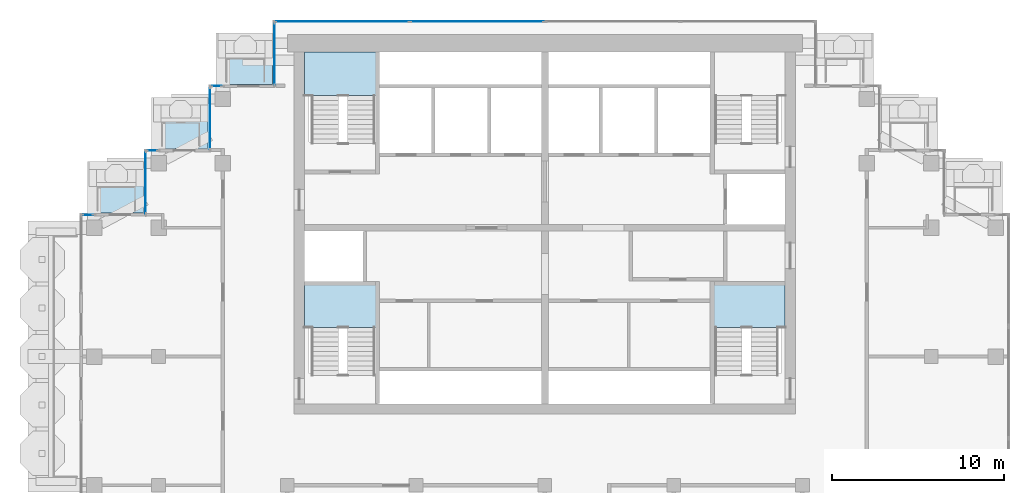
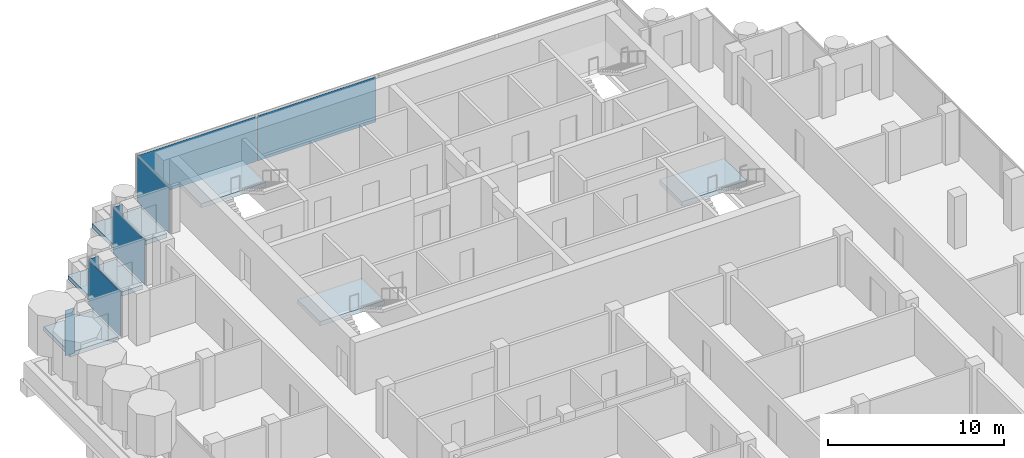
# One storey, part 9 of 18: 8 plates, 6 slabs, 10 elements without a shape of their own.
"""IFC4 building model written with IfcOpenShell, lengths in metres."""

from ifc_helpers import new_model, si_unit, direction, frame, origin, origin_2d, place, context, subcontext, project, spatial, polyline, rectangle, outline, extrude, material, layer, layer_set, type_object, element, aggregate, save


model = new_model("IFC4")

# Units and contexts
model_context = context("Model", 3, precision=1e-05, world=origin(), true_north=direction((0.0, 1.0)))
body_context = subcontext(model_context, "Body", "Model", "MODEL_VIEW")
ifc_project = project(units=[si_unit("LENGTHUNIT", "METRE"), si_unit("AREAUNIT", "SQUARE_METRE"), si_unit("VOLUMEUNIT", "CUBIC_METRE"), si_unit("PLANEANGLEUNIT", "RADIAN"), si_unit("MASSUNIT", "GRAM", prefix="KILO")], contexts=[model_context])

# Site, building, storey
site_placement = place(None, origin())
site = spatial("IfcSite", under=ifc_project, at=site_placement, CompositionType="ELEMENT")
building_placement = place(site_placement, origin())
building = spatial("IfcBuilding", under=site, at=building_placement, Name="Pilkhan Gate Tower", CompositionType="ELEMENT")
storey_placement = place(building_placement, frame((0.0, 0.0, 235.5)))
storey = spatial("IfcBuildingStorey", under=building, at=storey_placement, Name="L61", CompositionType="ELEMENT", Elevation=235.5)

# Slabs
ifc_material_1 = material(Name="Concrete C60/75", Category="concrete")
ifc_layer_1 = layer(ifc_material_1, 0.300048828125)
ifc_layer_set_1 = layer_set([ifc_layer_1], Name="Balcony tray slab TR300")
slab_type_1 = type_object("IfcSlabType", Name="Balcony tray slab TR300", PredefinedType="FLOOR", material=ifc_layer_set_1)
slab_1_placement = place(storey_placement, frame((0.0, 0.0, -0.300048828125)))
element("IfcSlab", 1, at=slab_1_placement, inside=storey, type_object=slab_type_1, Name="Balcony tray L61 N", PredefinedType="FLOOR", context=body_context, shape_type="SweptSolid", body=[
    extrude(outline(polyline([(59.14990234375, 90.85009765625), (59.14990234375, 93.85009765625), (55.949951171875, 93.85009765625), (55.949951171875, 90.85009765625), (59.14990234375, 90.85009765625)])), origin(), (0.0, 0.0, 1.0), 0.300048828125),
])
slab_2_placement = place(storey_placement, frame((0.0, 0.0, -0.300048828125)))
element("IfcSlab", 2, at=slab_2_placement, inside=storey, type_object=slab_type_1, Name="Balcony tray L61 N", PredefinedType="FLOOR", context=body_context, shape_type="SweptSolid", body=[
    extrude(outline(polyline([(55.3798828125, 87.1201171875), (55.3798828125, 90.10009765625), (52.199951171875, 90.10009765625), (52.199951171875, 87.1201171875), (55.3798828125, 87.1201171875)])), origin(), (0.0, 0.0, 1.0), 0.300048828125),
])
slab_3_placement = place(storey_placement, frame((0.0, 0.0, -0.300048828125)))
element("IfcSlab", 3, at=slab_3_placement, inside=storey, type_object=slab_type_1, Name="Balcony tray L61 N", PredefinedType="FLOOR", context=body_context, shape_type="SweptSolid", body=[
    extrude(outline(polyline([(51.6298828125, 83.3701171875), (51.6298828125, 86.35009765625), (48.449951171875, 86.35009765625), (48.449951171875, 83.3701171875), (51.6298828125, 83.3701171875)])), origin(), (0.0, 0.0, 1.0), 0.300048828125),
])

# Curtain wall, plates
ifc_material_2 = material(Name="Pale anodised aluminium, clear low-iron double glazing", Category="aluminium")
curtain_wall_type = type_object("IfcCurtainWallType", Name="Office unitised curtain wall CW-O2", PredefinedType="USERDEFINED", material=ifc_material_2)
curtain_wall_1_placement = place(storey_placement, origin())
curtain_wall_1 = element("IfcCurtainWall", 4, at=curtain_wall_1_placement, inside=storey, type_object=curtain_wall_type, Name="Office unitised curtain wall CW-O2 L61 N", ObjectType="UNITISED CURTAIN WALL", PredefinedType="USERDEFINED")
ifc_material_3 = material(Name="Clear low-iron double glazing", Category="glass")
ifc_layer_2 = layer(ifc_material_3, 0.031982421875)
ifc_layer_set_2 = layer_set([ifc_layer_2], Name="Glass panel CW-O2 32")
plate_type = type_object("IfcPlateType", Name="Glass panel CW-O2 32", PredefinedType="CURTAIN_PANEL", material=ifc_layer_set_2)
plate_1_placement = place(storey_placement, frame((63.203857421875, 94.5, 0.0), z_axis=(0.0, 0.0, 1.0), x_axis=(1.0, 0.0, 0.0)))
plate_1 = element("IfcPlate", 5, at=plate_1_placement, type_object=plate_type, Name="CW-O2 panel 1", PredefinedType="CURTAIN_PANEL", context=body_context, shape_type="SweptSolid", body=[
    extrude(rectangle(XDim=7.777587890625, YDim=0.031982421875, at=origin_2d()), origin(), (0.0, 0.0, 1.0), 3.135009765625),
])
plate_2_placement = place(storey_placement, frame((71.046142578125, 94.5, 0.0), z_axis=(0.0, 0.0, 1.0), x_axis=(1.0, 0.0, 0.0)))
plate_2 = element("IfcPlate", 6, at=plate_2_placement, type_object=plate_type, Name="CW-O2 panel 2", PredefinedType="CURTAIN_PANEL", context=body_context, shape_type="SweptSolid", body=[
    extrude(rectangle(XDim=7.777587890625, YDim=0.031982421875, at=origin_2d()), origin(), (0.0, 0.0, 1.0), 3.135009765625),
])
aggregate(curtain_wall_1, [plate_1, plate_2])

# Curtain wall, plate
curtain_wall_2_placement = place(storey_placement, origin())
curtain_wall_2 = element("IfcCurtainWall", 7, at=curtain_wall_2_placement, inside=storey, type_object=curtain_wall_type, Name="Office unitised curtain wall CW-O2 L61 W", ObjectType="UNITISED CURTAIN WALL", PredefinedType="USERDEFINED")
plate_3_placement = place(storey_placement, frame((59.25, 92.625, 0.0), z_axis=(0.0, 0.0, 1.0), x_axis=(0.0, 1.0, 0.0)))
plate_3 = element("IfcPlate", 8, at=plate_3_placement, type_object=plate_type, Name="CW-O2 panel 1", PredefinedType="CURTAIN_PANEL", context=body_context, shape_type="SweptSolid", body=[
    extrude(rectangle(XDim=3.6201171875, YDim=0.031982421875, at=origin_2d()), origin(), (0.0, 0.0, 1.0), 3.135009765625),
])
aggregate(curtain_wall_2, [plate_3])

curtain_wall_3_placement = place(storey_placement, origin())
curtain_wall_3 = element("IfcCurtainWall", 9, at=curtain_wall_3_placement, inside=storey, type_object=curtain_wall_type, Name="Office unitised curtain wall CW-O2 L61 N", ObjectType="UNITISED CURTAIN WALL", PredefinedType="USERDEFINED")
plate_4_placement = place(storey_placement, frame((55.875, 90.75, 0.0), z_axis=(0.0, 0.0, 1.0), x_axis=(1.0, 0.0, 0.0)))
plate_4 = element("IfcPlate", 10, at=plate_4_placement, type_object=plate_type, Name="CW-O2 panel 1", PredefinedType="CURTAIN_PANEL", context=body_context, shape_type="SweptSolid", body=[
    extrude(rectangle(XDim=0.6201171875, YDim=0.031982421875, at=origin_2d()), origin(), (0.0, 0.0, 1.0), 3.135009765625),
])
aggregate(curtain_wall_3, [plate_4])

curtain_wall_4_placement = place(storey_placement, origin())
curtain_wall_4 = element("IfcCurtainWall", 11, at=curtain_wall_4_placement, inside=storey, type_object=curtain_wall_type, Name="Office unitised curtain wall CW-O2 L61 W", ObjectType="UNITISED CURTAIN WALL", PredefinedType="USERDEFINED")
plate_5_placement = place(storey_placement, frame((55.5, 88.875, 0.0), z_axis=(0.0, 0.0, 1.0), x_axis=(0.0, 1.0, 0.0)))
plate_5 = element("IfcPlate", 12, at=plate_5_placement, type_object=plate_type, Name="CW-O2 panel 1", PredefinedType="CURTAIN_PANEL", context=body_context, shape_type="SweptSolid", body=[
    extrude(rectangle(XDim=3.6201171875, YDim=0.031982421875, at=origin_2d()), origin(), (0.0, 0.0, 1.0), 3.135009765625),
])
aggregate(curtain_wall_4, [plate_5])

curtain_wall_5_placement = place(storey_placement, origin())
curtain_wall_5 = element("IfcCurtainWall", 13, at=curtain_wall_5_placement, inside=storey, type_object=curtain_wall_type, Name="Office unitised curtain wall CW-O2 L61 N", ObjectType="UNITISED CURTAIN WALL", PredefinedType="USERDEFINED")
plate_6_placement = place(storey_placement, frame((52.125, 87.0, 0.0), z_axis=(0.0, 0.0, 1.0), x_axis=(1.0, 0.0, 0.0)))
plate_6 = element("IfcPlate", 14, at=plate_6_placement, type_object=plate_type, Name="CW-O2 panel 1", PredefinedType="CURTAIN_PANEL", context=body_context, shape_type="SweptSolid", body=[
    extrude(rectangle(XDim=0.6201171875, YDim=0.031982421875, at=origin_2d()), origin(), (0.0, 0.0, 1.0), 3.135009765625),
])
aggregate(curtain_wall_5, [plate_6])

curtain_wall_6_placement = place(storey_placement, origin())
curtain_wall_6 = element("IfcCurtainWall", 15, at=curtain_wall_6_placement, inside=storey, type_object=curtain_wall_type, Name="Office unitised curtain wall CW-O2 L61 W", ObjectType="UNITISED CURTAIN WALL", PredefinedType="USERDEFINED")
plate_7_placement = place(storey_placement, frame((51.75, 85.125, 0.0), z_axis=(0.0, 0.0, 1.0), x_axis=(0.0, 1.0, 0.0)))
plate_7 = element("IfcPlate", 16, at=plate_7_placement, type_object=plate_type, Name="CW-O2 panel 1", PredefinedType="CURTAIN_PANEL", context=body_context, shape_type="SweptSolid", body=[
    extrude(rectangle(XDim=3.6201171875, YDim=0.031982421875, at=origin_2d()), origin(), (0.0, 0.0, 1.0), 3.135009765625),
])
aggregate(curtain_wall_6, [plate_7])

curtain_wall_7_placement = place(storey_placement, origin())
curtain_wall_7 = element("IfcCurtainWall", 17, at=curtain_wall_7_placement, inside=storey, type_object=curtain_wall_type, Name="Office unitised curtain wall CW-O2 L61 N", ObjectType="UNITISED CURTAIN WALL", PredefinedType="USERDEFINED")
plate_8_placement = place(storey_placement, frame((48.375, 83.25, 0.0), z_axis=(0.0, 0.0, 1.0), x_axis=(1.0, 0.0, 0.0)))
plate_8 = element("IfcPlate", 18, at=plate_8_placement, type_object=plate_type, Name="CW-O2 panel 1", PredefinedType="CURTAIN_PANEL", context=body_context, shape_type="SweptSolid", body=[
    extrude(rectangle(XDim=0.6201171875, YDim=0.031982421875, at=origin_2d()), origin(), (0.0, 0.0, 1.0), 3.135009765625),
])
aggregate(curtain_wall_7, [plate_8])

# Stair, slab
ifc_material_4 = material(Name="Concrete C40/50 precast", Category="concrete")
stair_type_1 = type_object("IfcStairType", Name="Stair ST1 164x280", PredefinedType="HALF_TURN_STAIR", material=ifc_material_4)
stair_1_placement = place(storey_placement, origin())
stair_1 = element("IfcStair", 19, at=stair_1_placement, inside=storey, type_object=stair_type_1, Name="Stair ST1 L61", PredefinedType="HALF_TURN_STAIR")
ifc_material_5 = material(Name="Concrete C40/50", Category="concrete")
ifc_layer_3 = layer(ifc_material_5, 0.199951171875)
ifc_layer_set_3 = layer_set([ifc_layer_3], Name="Stair landing SL200")
slab_type_2 = type_object("IfcSlabType", Name="Stair landing SL200", PredefinedType="LANDING", material=ifc_layer_set_3)
slab_4_placement = place(storey_placement, frame((0.0, 0.0, 1.5)))
slab_4 = element("IfcSlab", 20, at=slab_4_placement, type_object=slab_type_2, Name="ST1 landing 1", PredefinedType="LANDING", context=body_context, shape_type="SweptSolid", body=[
    extrude(outline(polyline([(89.0, 76.699951171875), (89.0, 79.25), (84.75, 79.25), (84.75, 76.699951171875), (89.0, 76.699951171875)])), origin(), (0.0, 0.0, 1.0), 0.300048828125),
])
aggregate(stair_1, [slab_4])

stair_type_2 = type_object("IfcStairType", Name="Stair ST2 164x280", PredefinedType="HALF_TURN_STAIR", material=ifc_material_4)
stair_2_placement = place(storey_placement, origin())
stair_2 = element("IfcStair", 21, at=stair_2_placement, inside=storey, type_object=stair_type_2, Name="Stair ST2 L61", PredefinedType="HALF_TURN_STAIR")
slab_5_placement = place(storey_placement, frame((0.0, 0.0, 1.5)))
slab_5 = element("IfcSlab", 22, at=slab_5_placement, type_object=slab_type_2, Name="ST2 landing 1", PredefinedType="LANDING", context=body_context, shape_type="SweptSolid", body=[
    extrude(outline(polyline([(65.25, 76.699951171875), (65.25, 79.25), (61.0, 79.25), (61.0, 76.699951171875), (65.25, 76.699951171875)])), origin(), (0.0, 0.0, 1.0), 0.300048828125),
])
aggregate(stair_2, [slab_5])

stair_type_3 = type_object("IfcStairType", Name="Stair ST3 164x280", PredefinedType="HALF_TURN_STAIR", material=ifc_material_4)
stair_3_placement = place(storey_placement, origin())
stair_3 = element("IfcStair", 23, at=stair_3_placement, inside=storey, type_object=stair_type_3, Name="Stair ST3 L61", PredefinedType="HALF_TURN_STAIR")
slab_6_placement = place(storey_placement, frame((0.0, 0.0, 1.5)))
slab_6 = element("IfcSlab", 24, at=slab_6_placement, type_object=slab_type_2, Name="ST3 landing 1", PredefinedType="LANDING", context=body_context, shape_type="SweptSolid", body=[
    extrude(outline(polyline([(65.25, 90.199951171875), (65.25, 92.75), (61.0, 92.75), (61.0, 90.199951171875), (65.25, 90.199951171875)])), origin(), (0.0, 0.0, 1.0), 0.300048828125),
])
aggregate(stair_3, [slab_6])

save(model, "model.ifc")
